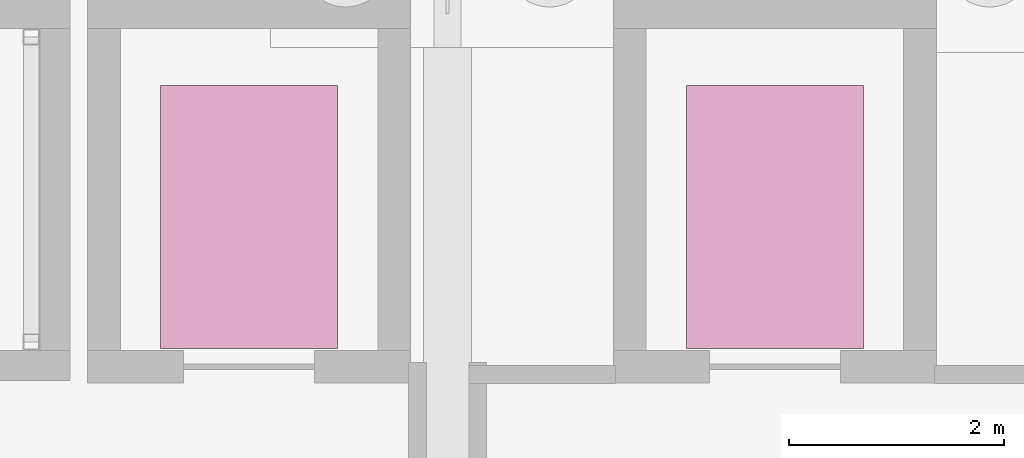
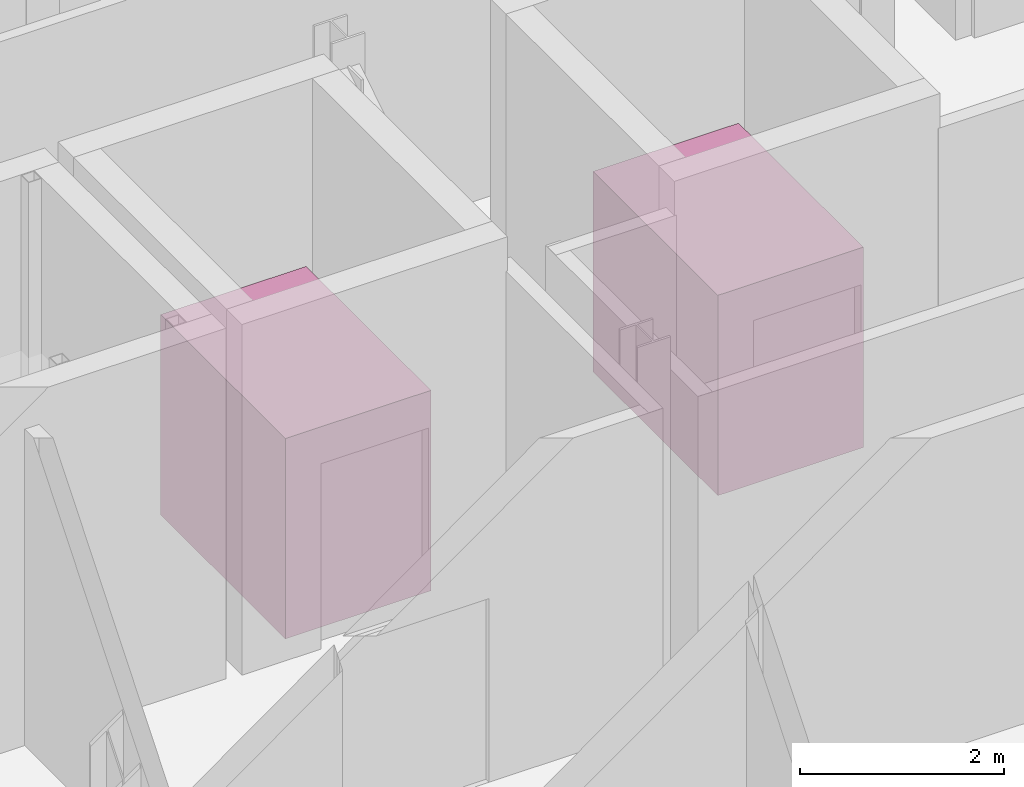
# One storey, part 12 of 12: 2 transport elements.
"""IFC4 building model written with IfcOpenShell, lengths in metres."""

from ifc_helpers import new_model, si_unit, direction, frame, origin, origin_2d, place, context, subcontext, project, spatial, rectangle, extrude, material, type_object, element, save


model = new_model("IFC4")

# Units and contexts
model_context = context("Model", 3, precision=1e-05, world=origin(), true_north=direction((0.0, 1.0)))
body_context = subcontext(model_context, "Body", "Model", "MODEL_VIEW")
ifc_project = project(units=[si_unit("LENGTHUNIT", "METRE"), si_unit("AREAUNIT", "SQUARE_METRE"), si_unit("VOLUMEUNIT", "CUBIC_METRE"), si_unit("PLANEANGLEUNIT", "RADIAN"), si_unit("MASSUNIT", "GRAM", prefix="KILO")], contexts=[model_context])

# Site, building, storey
site_placement = place(None, origin())
site = spatial("IfcSite", under=ifc_project, at=site_placement, CompositionType="ELEMENT")
building_placement = place(site_placement, origin())
building = spatial("IfcBuilding", under=site, at=building_placement, Name="Siltcreek Boulevard Central Fire Station", CompositionType="ELEMENT")
storey_placement = place(building_placement, frame((0.0, 0.0, -4.199951171875)))
storey = spatial("IfcBuildingStorey", under=building, at=storey_placement, Name="B01", CompositionType="ELEMENT", Elevation=-4.199951171875)

# Transport elements
ifc_material = material(Name="Brushed stainless steel elevator car", Category="steel")
transport_element_type = type_object("IfcTransportElementType", Name="EL_FF_2000", PredefinedType="ELEVATOR", material=ifc_material)
for number, where, z_axis, x_axis, name in (
    (1, (134.35009765625, 103.844970703125, 0.0), (0.0, 0.0, 1.0), (1.0, 0.0, 0.0), "Stretcher elevator car EL-01"),
    (2, (139.25, 103.844970703125, 0.0), (0.0, 0.0, 1.0), (1.0, 0.0, 0.0), "Stretcher elevator car EL-02"),
):
    element("IfcTransportElement", number, at=place(storey_placement, frame(where, z_axis=z_axis, x_axis=x_axis)), inside=storey, type_object=transport_element_type, Name=name, PredefinedType="ELEVATOR", context=body_context, shape_type="SweptSolid", body=[
        extrude(rectangle(XDim=1.64990234375, YDim=2.449951171875, at=origin_2d()), origin(), (0.0, 0.0, 1.0), 2.39990234375),
    ])

save(model, "model.ifc")
